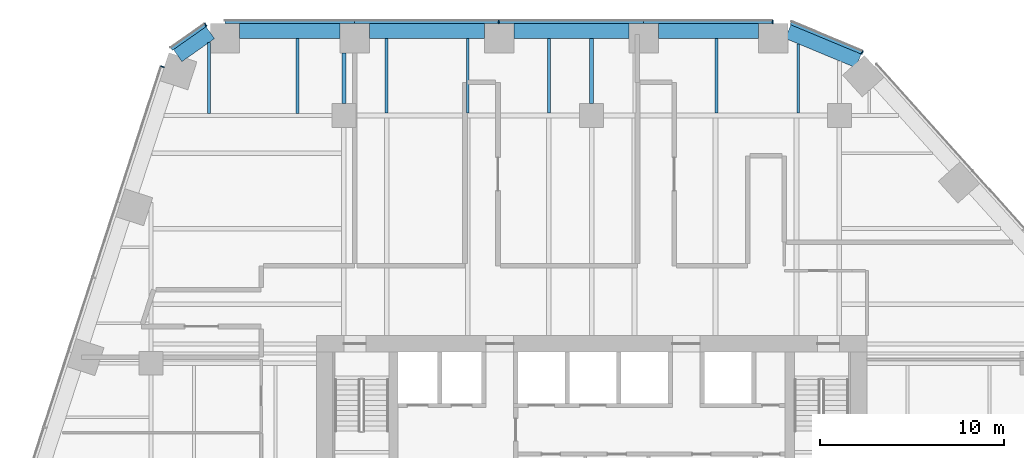
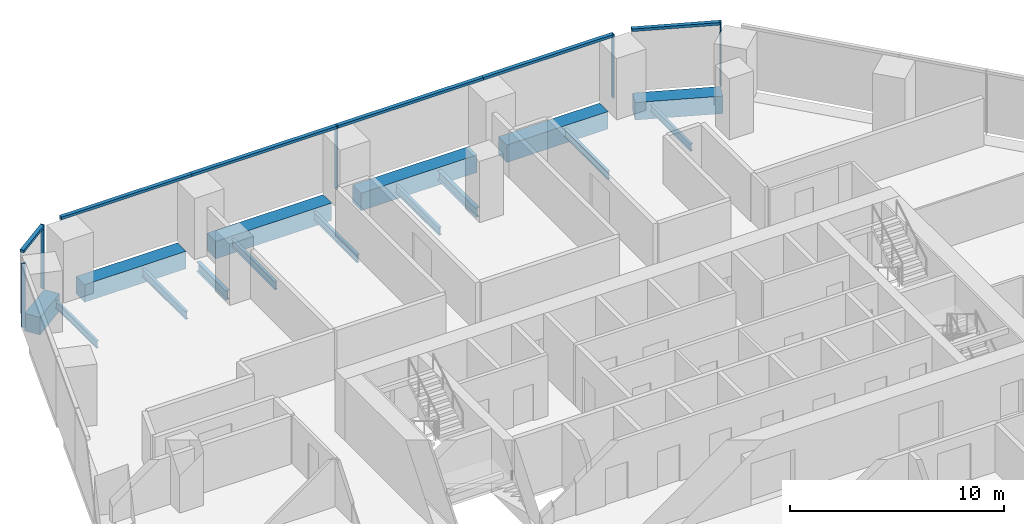
# One storey, part 12 of 21: 15 beams, 11 members, 4 elements without a shape of their own.
"""IFC4 building model written with IfcOpenShell, lengths in metres."""

from ifc_helpers import new_model, si_unit, direction, frame, origin, origin_2d, place, context, subcontext, project, spatial, rectangle, i_section, extrude, material, layer, layer_set, material_profile, profile_set, type_object, element, aggregate, save


model = new_model("IFC4")

# Units and contexts
model_context = context("Model", 3, precision=1e-05, world=origin(), true_north=direction((0.0, 1.0)))
body_context = subcontext(model_context, "Body", "Model", "MODEL_VIEW")
ifc_project = project(units=[si_unit("LENGTHUNIT", "METRE"), si_unit("AREAUNIT", "SQUARE_METRE"), si_unit("VOLUMEUNIT", "CUBIC_METRE"), si_unit("PLANEANGLEUNIT", "RADIAN"), si_unit("MASSUNIT", "GRAM", prefix="KILO")], contexts=[model_context])

# Site, building, storey
site_placement = place(None, origin())
site = spatial("IfcSite", under=ifc_project, at=site_placement, CompositionType="ELEMENT")
building_placement = place(site_placement, origin())
building = spatial("IfcBuilding", under=site, at=building_placement, Name="Isthmus Gate Tower", CompositionType="ELEMENT")
storey_placement = place(building_placement, frame((0.0, 0.0, 102.550048828125)))
storey = spatial("IfcBuildingStorey", under=building, at=storey_placement, Name="L24", CompositionType="ELEMENT", Elevation=102.550048828125)

# Curtain wall, members
ifc_material_1 = material(Name="Aluminium, pale champagne anodised", Category="aluminium")
ifc_layer = layer(ifc_material_1, 0.199951171875)
ifc_layer_set = layer_set([ifc_layer], Name="CW-1 UNITISED CURTAIN WALL 200 DEEP")
curtain_wall_type = type_object("IfcCurtainWallType", Name="CW-1 UNITISED CURTAIN WALL 200 DEEP", PredefinedType="NOTDEFINED", material=ifc_layer_set)
curtain_wall_1_placement = place(storey_placement, origin())
curtain_wall_1 = element("IfcCurtainWall", 1, at=curtain_wall_1_placement, inside=storey, type_object=curtain_wall_type, Name="CW-1 N L24", PredefinedType="NOTDEFINED")
ifc_material_2 = material(Name="Aluminium, pale champagne anodised", Category="aluminium")
ifc_material_profile_1 = material_profile(ifc_material_2, rectangle(XDim=0.06005859375, YDim=0.199951171875, at=origin_2d()), Name="60x200")
ifc_profile_set_1 = profile_set([ifc_material_profile_1], Name="Aluminium, pale champagne anodised")
member_type_1 = type_object("IfcMemberType", Name="CW-1 MULLION 60 X 200", PredefinedType="MULLION", material=ifc_profile_set_1)
member_1_placement = place(storey_placement, frame((9.871826171875, 32.10009765625, 0.0), z_axis=(0.0, 0.0, 1.0), x_axis=(-1.0, 0.0, 0.0)))
member_1 = element("IfcMember", 2, at=member_1_placement, type_object=member_type_1, Name="CW-1 mullion", PredefinedType="MULLION", context=body_context, shape_type="SweptSolid", body=[
    extrude(rectangle(XDim=0.06005859375, YDim=0.199951171875, at=origin_2d()), origin(), (0.0, 0.0, 1.0), 3.64990234375),
])
member_2_placement = place(storey_placement, frame((-5.067138671875, 32.10009765625, 0.0), z_axis=(0.0, 0.0, 1.0), x_axis=(-1.0, 0.0, 0.0)))
member_2 = element("IfcMember", 3, at=member_2_placement, type_object=member_type_1, Name="CW-1 mullion", PredefinedType="MULLION", context=body_context, shape_type="SweptSolid", body=[
    extrude(rectangle(XDim=0.06005859375, YDim=0.199951171875, at=origin_2d()), origin(), (0.0, 0.0, 1.0), 3.64990234375),
])

# Curtain wall, member
curtain_wall_2_placement = place(storey_placement, origin())
curtain_wall_2 = element("IfcCurtainWall", 4, at=curtain_wall_2_placement, inside=storey, type_object=curtain_wall_type, Name="CW-1 N-NW L24", PredefinedType="NOTDEFINED")
member_3_placement = place(storey_placement, frame((-21.031005859375, 31.943115234375, 0.0), z_axis=(0.0, 0.0, 1.0), x_axis=(-0.81785959165, -0.57541783805, 0.0)))
member_3 = element("IfcMember", 5, at=member_3_placement, type_object=member_type_1, Name="CW-1 mullion", PredefinedType="MULLION", context=body_context, shape_type="SweptSolid", body=[
    extrude(rectangle(XDim=0.06005859375, YDim=0.199951171875, at=origin_2d()), origin(), (0.0, 0.0, 1.0), 3.64990234375),
])

curtain_wall_3_placement = place(storey_placement, origin())
curtain_wall_3 = element("IfcCurtainWall", 6, at=curtain_wall_3_placement, inside=storey, type_object=curtain_wall_type, Name="CW-1 NW L24", PredefinedType="NOTDEFINED")
member_4_placement = place(storey_placement, frame((-23.380615234375, 29.656494140625, 0.0), z_axis=(0.0, 0.0, 1.0), x_axis=(-0.309016994375, -0.951056516295, 0.0)))
member_4 = element("IfcMember", 7, at=member_4_placement, type_object=member_type_1, Name="CW-1 mullion", PredefinedType="MULLION", context=body_context, shape_type="SweptSolid", body=[
    extrude(rectangle(XDim=0.06005859375, YDim=0.199951171875, at=origin_2d()), origin(), (0.0, 0.0, 1.0), 3.64990234375),
])
aggregate(curtain_wall_3, [member_4])

curtain_wall_4_placement = place(storey_placement, origin())
curtain_wall_4 = element("IfcCurtainWall", 8, at=curtain_wall_4_placement, inside=storey, type_object=curtain_wall_type, Name="CW-1 NE-N L24", PredefinedType="NOTDEFINED")
member_5_placement = place(storey_placement, frame((14.744140625, 30.427490234375, 0.0), z_axis=(0.0, 0.0, 1.0), x_axis=(-0.923353128387, 0.383951820282, 0.0)))
member_5 = element("IfcMember", 9, at=member_5_placement, type_object=member_type_1, Name="CW-1 mullion", PredefinedType="MULLION", context=body_context, shape_type="SweptSolid", body=[
    extrude(rectangle(XDim=0.06005859375, YDim=0.199951171875, at=origin_2d()), origin(), (0.0, 0.0, 1.0), 3.64990234375),
])

# Member
ifc_material_3 = material(Name="Aluminium, pale champagne anodised", Category="aluminium")
ifc_material_profile_2 = material_profile(ifc_material_3, rectangle(XDim=0.199951171875, YDim=0.14990234375, at=origin_2d()), Name="200x150")
ifc_profile_set_2 = profile_set([ifc_material_profile_2], Name="Aluminium, pale champagne anodised")
member_type_2 = type_object("IfcMemberType", Name="CW-1 TRANSOM 200 X 150", PredefinedType="USERDEFINED", material=ifc_profile_set_2)
member_6_placement = place(storey_placement, frame((9.841796875, 32.10009765625, 3.574951171875), z_axis=(-1.0, 0.0, 0.0), x_axis=(0.0, -1.0, 0.0)))
member_6 = element("IfcMember", 10, at=member_6_placement, type_object=member_type_2, Name="CW-1 transom", ObjectType="TRANSOM", PredefinedType="USERDEFINED", context=body_context, shape_type="SweptSolid", body=[
    extrude(rectangle(XDim=0.199951171875, YDim=0.14990234375, at=origin_2d()), origin(), (0.0, 0.0, 1.0), 7.009521484375),
])

member_7_placement = place(storey_placement, frame((2.832275390625, 32.10009765625, 3.574951171875), z_axis=(-1.0, 0.0, 0.0), x_axis=(0.0, -1.0, 0.0)))
member_7 = element("IfcMember", 11, at=member_7_placement, type_object=member_type_2, Name="CW-1 transom", ObjectType="TRANSOM", PredefinedType="USERDEFINED", context=body_context, shape_type="SweptSolid", body=[
    extrude(rectangle(XDim=0.199951171875, YDim=0.14990234375, at=origin_2d()), origin(), (0.0, 0.0, 1.0), 7.869384765625),
])

member_8_placement = place(storey_placement, frame((-5.09716796875, 32.10009765625, 3.574951171875), z_axis=(-1.0, 0.0, 0.0), x_axis=(0.0, -1.0, 0.0)))
member_8 = element("IfcMember", 12, at=member_8_placement, type_object=member_type_2, Name="CW-1 transom", ObjectType="TRANSOM", PredefinedType="USERDEFINED", context=body_context, shape_type="SweptSolid", body=[
    extrude(rectangle(XDim=0.199951171875, YDim=0.14990234375, at=origin_2d()), origin(), (0.0, 0.0, 1.0), 7.8095703125),
])

member_9_placement = place(storey_placement, frame((-12.90673828125, 32.10009765625, 3.574951171875), z_axis=(-1.0, 0.0, 0.0), x_axis=(0.0, -1.0, 0.0)))
member_9 = element("IfcMember", 13, at=member_9_placement, type_object=member_type_2, Name="CW-1 transom", ObjectType="TRANSOM", PredefinedType="USERDEFINED", context=body_context, shape_type="SweptSolid", body=[
    extrude(rectangle(XDim=0.199951171875, YDim=0.14990234375, at=origin_2d()), origin(), (0.0, 0.0, 1.0), 7.069580078125),
])

aggregate(curtain_wall_1, [member_1, member_6, member_7, member_2, member_8, member_9])

member_10_placement = place(storey_placement, frame((-21.055419921875, 31.92578125, 3.574951171875), z_axis=(-0.817868595604, -0.575405040233, 0.0), x_axis=(0.575405040233, -0.817868595604, 0.0)))
member_10 = element("IfcMember", 14, at=member_10_placement, type_object=member_type_2, Name="CW-1 transom", ObjectType="TRANSOM", PredefinedType="USERDEFINED", context=body_context, shape_type="SweptSolid", body=[
    extrude(rectangle(XDim=0.199951171875, YDim=0.14990234375, at=origin_2d()), origin(), (0.0, 0.0, 1.0), 2.258544921875),
])

aggregate(curtain_wall_2, [member_3, member_10])

member_11_placement = place(storey_placement, frame((14.716552734375, 30.43896484375, 3.574951171875), z_axis=(-0.923358236369, 0.383939536033, 0.0), x_axis=(-0.383939536033, -0.923358236369, 0.0)))
member_11 = element("IfcMember", 15, at=member_11_placement, type_object=member_type_2, Name="CW-1 transom", ObjectType="TRANSOM", PredefinedType="USERDEFINED", context=body_context, shape_type="SweptSolid", body=[
    extrude(rectangle(XDim=0.199951171875, YDim=0.14990234375, at=origin_2d()), origin(), (0.0, 0.0, 1.0), 4.181640625),
])

aggregate(curtain_wall_4, [member_5, member_11])

# Beams
ifc_material_4 = material(Name="Concrete f'c 70 MPa", Category="concrete")
ifc_material_profile_3 = material_profile(ifc_material_4, rectangle(XDim=0.800048828125, YDim=1.0, at=origin_2d()), Name="RC 800X1000")
ifc_profile_set_3 = profile_set([ifc_material_profile_3], Name="Concrete f'c 70 MPa")
beam_type_1 = type_object("IfcBeamType", Name="RC SPANDREL 800 X 1000", PredefinedType="SPANDREL", material=ifc_profile_set_3)
beam_1_placement = place(storey_placement, frame((10.701904296875, 31.56689453125, -0.5), z_axis=(0.923334166719, -0.383997417399, 0.0), x_axis=(0.383997417399, 0.923334166719, 0.0)))
element("IfcBeam", 16, at=beam_1_placement, inside=storey, type_object=beam_type_1, Name="str-spandrel-L24-00", PredefinedType="SPANDREL", context=body_context, shape_type="SweptSolid", body=[
    extrude(rectangle(XDim=0.800048828125, YDim=1.0, at=origin_2d()), origin(), (0.0, 0.0, 1.0), 4.15234375),
])
beam_2_placement = place(storey_placement, frame((-22.553466796875, 30.260498046875, -0.5), z_axis=(0.817857331203, 0.575421050882, 0.0), x_axis=(-0.575421050882, 0.817857331203, 0.0)))
element("IfcBeam", 17, at=beam_2_placement, inside=storey, type_object=beam_type_1, Name="str-spandrel-L24-22", PredefinedType="SPANDREL", context=body_context, shape_type="SweptSolid", body=[
    extrude(rectangle(XDim=0.800048828125, YDim=1.0, at=origin_2d()), origin(), (0.0, 0.0, 1.0), 2.173095703125),
])
beam_3_placement = place(storey_placement, frame((-19.17626953125, 31.60009765625, -0.5), z_axis=(1.0, 0.0, 0.0), x_axis=(0.0, 1.0, 0.0)))
element("IfcBeam", 18, at=beam_3_placement, inside=storey, type_object=beam_type_1, Name="str-spandrel-L24-23", PredefinedType="SPANDREL", context=body_context, shape_type="SweptSolid", body=[
    extrude(rectangle(XDim=0.800048828125, YDim=1.0, at=origin_2d()), origin(), (0.0, 0.0, 1.0), 5.469482421875),
])
for number, where, z_axis, x_axis, name in (
    (19, (-12.106689453125, 31.60009765625, -0.5), (1.0, 0.0, 0.0), (0.0, 1.0, 0.0), "str-spandrel-L24-24"),
    (20, (-4.2373046875, 31.60009765625, -0.5), (1.0, 0.0, 0.0), (0.0, 1.0, 0.0), "str-spandrel-L24-25"),
):
    element("IfcBeam", number, at=place(storey_placement, frame(where, z_axis=z_axis, x_axis=x_axis)), inside=storey, type_object=beam_type_1, Name=name, PredefinedType="SPANDREL", context=body_context, shape_type="SweptSolid", body=[
        extrude(rectangle(XDim=0.800048828125, YDim=1.0, at=origin_2d()), origin(), (0.0, 0.0, 1.0), 6.26953125),
    ])
beam_4_placement = place(storey_placement, frame((3.63232421875, 31.60009765625, -0.5), z_axis=(1.0, 0.0, 0.0), x_axis=(0.0, 1.0, 0.0)))
element("IfcBeam", 21, at=beam_4_placement, inside=storey, type_object=beam_type_1, Name="str-spandrel-L24-26", PredefinedType="SPANDREL", context=body_context, shape_type="SweptSolid", body=[
    extrude(rectangle(XDim=0.800048828125, YDim=1.0, at=origin_2d()), origin(), (0.0, 0.0, 1.0), 5.469482421875),
])
ifc_material_5 = material(Name="Structural steel ASTM A992 Gr 50", Category="steel")
ifc_material_profile_4 = material_profile(ifc_material_5, i_section(OverallWidth=0.1396484375, OverallDepth=0.4033203125, WebThickness=0.00634765625, FlangeThickness=0.010986328125, at=origin_2d()), Name="W16X31")
ifc_profile_set_4 = profile_set([ifc_material_profile_4], Name="Structural steel ASTM A992 Gr 50")
beam_type_2 = type_object("IfcBeamType", Name="STEEL FLOOR BEAM W16X31", PredefinedType="JOIST", material=ifc_profile_set_4)
beam_5_placement = place(storey_placement, frame((-20.846435546875, 27.1142578125, -0.3515625), z_axis=(0.0, 1.0, 0.0), x_axis=(-1.0, 0.0, 0.0)))
element("IfcBeam", 22, at=beam_5_placement, inside=storey, type_object=beam_type_2, Name="str-beam-L24-09-00", PredefinedType="JOIST", context=body_context, shape_type="SweptSolid", body=[
    extrude(i_section(OverallWidth=0.1396484375, OverallDepth=0.4033203125, WebThickness=0.00634765625, FlangeThickness=0.010986328125, at=origin_2d()), origin(), (0.0, 0.0, 1.0), 3.858154296875),
])
beam_6_placement = place(storey_placement, frame((11.267578125, 27.1318359375, -0.3515625), z_axis=(0.0, 1.0, 0.0), x_axis=(-1.0, 0.0, 0.0)))
element("IfcBeam", 23, at=beam_6_placement, inside=storey, type_object=beam_type_2, Name="str-beam-L24-20-02", PredefinedType="JOIST", context=body_context, shape_type="SweptSolid", body=[
    extrude(i_section(OverallWidth=0.1396484375, OverallDepth=0.4033203125, WebThickness=0.00634765625, FlangeThickness=0.010986328125, at=origin_2d()), origin(), (0.0, 0.0, 1.0), 3.7666015625),
])
ifc_material_6 = material(Name="Structural steel ASTM A992 Gr 50", Category="steel")
ifc_material_profile_5 = material_profile(ifc_material_6, i_section(OverallWidth=0.15234375, OverallDepth=0.45068359375, WebThickness=0.0078125, FlangeThickness=0.010986328125, at=origin_2d()), Name="W18X35")
ifc_profile_set_5 = profile_set([ifc_material_profile_5], Name="Structural steel ASTM A992 Gr 50")
beam_type_3 = type_object("IfcBeamType", Name="STEEL FLOOR BEAM W18X35", PredefinedType="JOIST", material=ifc_profile_set_5)
beam_7_placement = place(storey_placement, frame((-16.0185546875, 27.1142578125, -0.37548828125), z_axis=(0.0, 1.0, 0.0), x_axis=(-1.0, 0.0, 0.0)))
element("IfcBeam", 24, at=beam_7_placement, inside=storey, type_object=beam_type_3, Name="str-beam-L24-09-01", PredefinedType="JOIST", context=body_context, shape_type="SweptSolid", body=[
    extrude(i_section(OverallWidth=0.15234375, OverallDepth=0.45068359375, WebThickness=0.0078125, FlangeThickness=0.010986328125, at=origin_2d()), origin(), (0.0, 0.0, 1.0), 4.085693359375),
])
for number, where, z_axis, x_axis, name in (
    (25, (-11.18017578125, 27.1318359375, -0.37548828125), (0.0, 1.0, 0.0), (-1.0, 0.0, 0.0), "str-beam-L24-15-00"),
    (26, (-6.75, 27.1318359375, -0.37548828125), (0.0, 1.0, 0.0), (-1.0, 0.0, 0.0), "str-beam-L24-15-01"),
    (27, (-2.31982421875, 27.1318359375, -0.37548828125), (0.0, 1.0, 0.0), (-1.0, 0.0, 0.0), "str-beam-L24-15-02"),
    (28, (6.802490234375, 27.1318359375, -0.37548828125), (0.0, 1.0, 0.0), (-1.0, 0.0, 0.0), "str-beam-L24-20-01"),
):
    element("IfcBeam", number, at=place(storey_placement, frame(where, z_axis=z_axis, x_axis=x_axis)), inside=storey, type_object=beam_type_3, Name=name, PredefinedType="JOIST", context=body_context, shape_type="SweptSolid", body=[
        extrude(i_section(OverallWidth=0.15234375, OverallDepth=0.45068359375, WebThickness=0.0078125, FlangeThickness=0.010986328125, at=origin_2d()), origin(), (0.0, 0.0, 1.0), 4.068115234375),
    ])
ifc_material_7 = material(Name="Structural steel ASTM A992 Gr 50", Category="steel")
ifc_material_profile_6 = material_profile(ifc_material_7, i_section(OverallWidth=0.20947265625, OverallDepth=0.533447265625, WebThickness=0.009521484375, FlangeThickness=0.015869140625, at=origin_2d()), Name="W21X62")
ifc_profile_set_6 = profile_set([ifc_material_profile_6], Name="Structural steel ASTM A992 Gr 50")
beam_type_4 = type_object("IfcBeamType", Name="STEEL GIRDER W21X62", PredefinedType="BEAM", material=ifc_profile_set_6)
beam_8_placement = place(storey_placement, frame((-13.5, 27.64990234375, -0.416748046875), z_axis=(0.0, 1.0, 0.0), x_axis=(-1.0, 0.0, 0.0)))
element("IfcBeam", 29, at=beam_8_placement, inside=storey, type_object=beam_type_4, Name="str-girder-L24-28", PredefinedType="BEAM", context=body_context, shape_type="SweptSolid", body=[
    extrude(i_section(OverallWidth=0.20947265625, OverallDepth=0.533447265625, WebThickness=0.009521484375, FlangeThickness=0.015869140625, at=origin_2d()), origin(), (0.0, 0.0, 1.0), 2.75),
])
beam_9_placement = place(storey_placement, frame((0.0, 27.64990234375, -0.416748046875), z_axis=(0.0, 1.0, 0.0), x_axis=(-1.0, 0.0, 0.0)))
element("IfcBeam", 30, at=beam_9_placement, inside=storey, type_object=beam_type_4, Name="str-girder-L24-31", PredefinedType="BEAM", context=body_context, shape_type="SweptSolid", body=[
    extrude(i_section(OverallWidth=0.20947265625, OverallDepth=0.533447265625, WebThickness=0.009521484375, FlangeThickness=0.015869140625, at=origin_2d()), origin(), (0.0, 0.0, 1.0), 3.550048828125),
])

save(model, "model.ifc")
